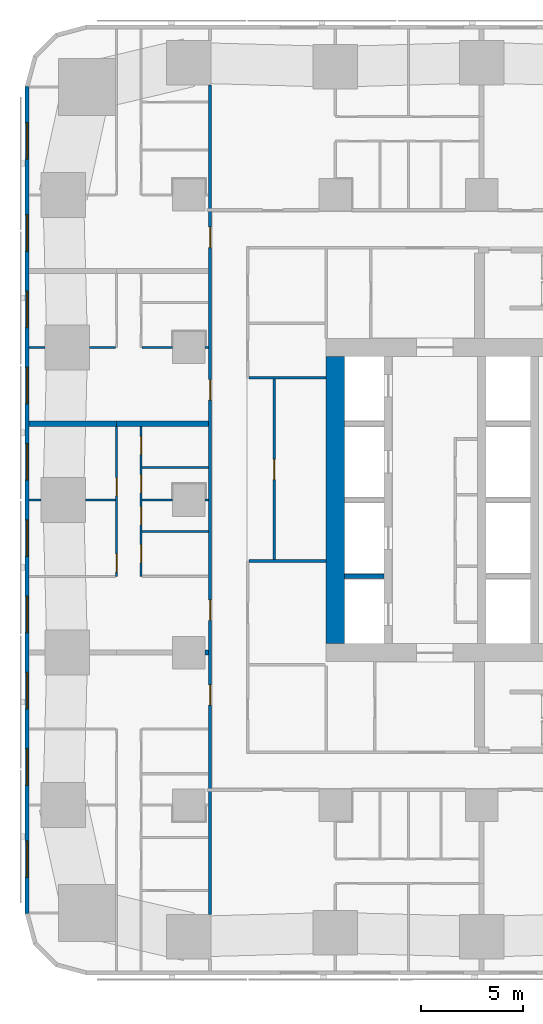
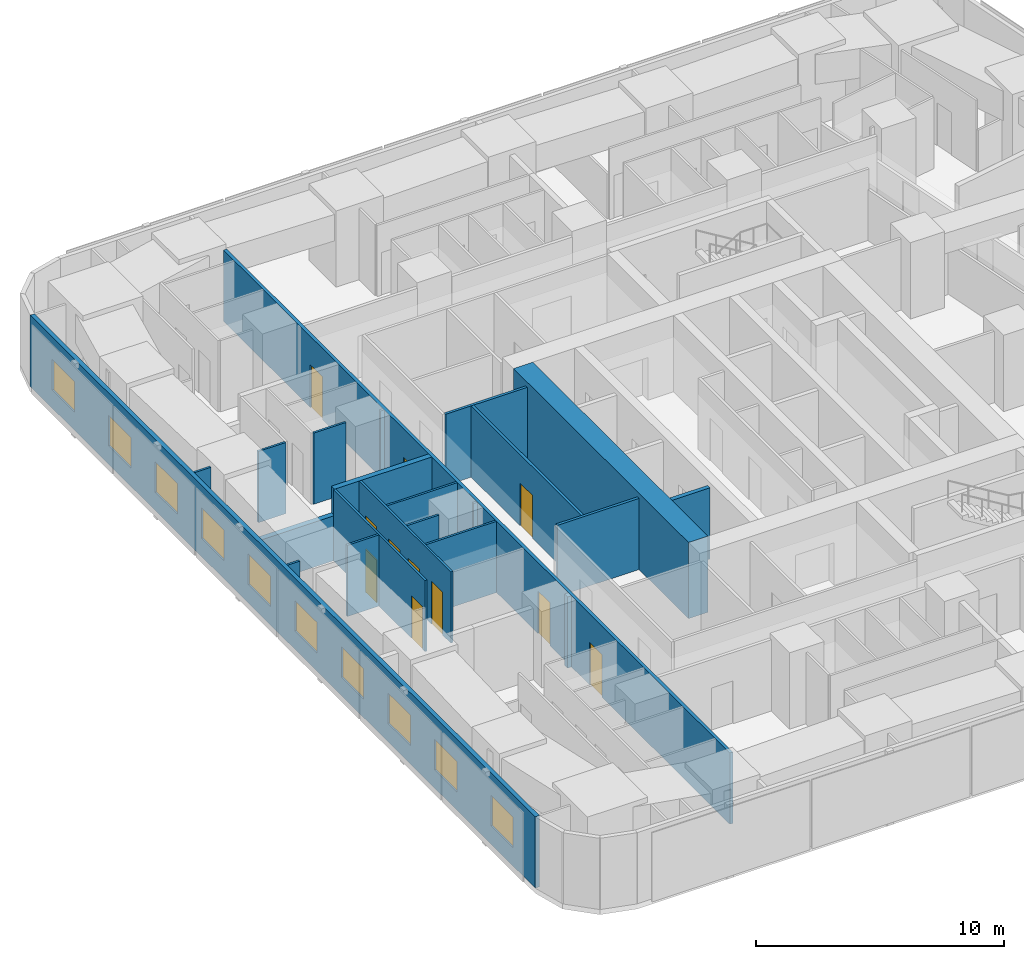
# One storey, part 4 of 15: 22 walls, 11 doors, 10 windows, 21 openings.
"""IFC4 building model written with IfcOpenShell, lengths in metres."""

from ifc_helpers import new_model, si_unit, direction, frame, frame_2d, origin, place, context, subcontext, project, spatial, rectangle, extrude, material, layer, layer_set, type_object, element, fill, save


model = new_model("IFC4")

# Units and contexts
model_context = context("Model", 3, precision=1e-05, world=origin(), true_north=direction((0.0, 1.0)))
body_context = subcontext(model_context, "Body", "Model", "MODEL_VIEW")
ifc_project = project(units=[si_unit("LENGTHUNIT", "METRE"), si_unit("AREAUNIT", "SQUARE_METRE"), si_unit("VOLUMEUNIT", "CUBIC_METRE"), si_unit("PLANEANGLEUNIT", "RADIAN"), si_unit("MASSUNIT", "GRAM", prefix="KILO")], contexts=[model_context])

# Site, building, storey
site_placement = place(None, origin())
site = spatial("IfcSite", under=ifc_project, at=site_placement, CompositionType="ELEMENT")
building_placement = place(site_placement, origin())
building = spatial("IfcBuilding", under=site, at=building_placement, Name="Sheger Commons Tower", CompositionType="ELEMENT")
storey_placement = place(building_placement, frame((0.0, 0.0, 100.39990234375)))
storey = spatial("IfcBuildingStorey", under=building, at=storey_placement, Name="L25", CompositionType="ELEMENT", Elevation=100.39990234375)

# Wall
ifc_material_1 = material(Name="Concrete C50/60", Category="concrete")
ifc_layer_1 = layer(ifc_material_1, 0.89990234375)
ifc_layer_set_1 = layer_set([ifc_layer_1], Name="CORE WALL 900")
wall_type_1 = type_object("IfcWallType", Name="CORE WALL 900", PredefinedType="SHEAR", material=ifc_layer_set_1)
wall_1_placement = place(storey_placement, frame((14.39990234375, 15.449951171875, 0.0), z_axis=(0.0, 0.0, 1.0), x_axis=(0.0, 1.0, 0.0)))
element("IfcWall", 1, at=wall_1_placement, inside=storey, type_object=wall_type_1, Name="Core wall west L25", PredefinedType="SHEAR", context=body_context, shape_type="SweptSolid", body=[
    extrude(rectangle(XDim=14.10009765625, YDim=0.89990234375, at=frame_2d((7.050048828125, 0.0))), origin(), (0.0, 0.0, 1.0), 3.75),
])

# Wall, openings, doors
ifc_material_2 = material(Name="Hollow concrete block masonry, skimmed both sides", Category="masonry")
ifc_layer_2 = layer(ifc_material_2, 0.14990234375)
ifc_layer_set_2 = layer_set([ifc_layer_2], Name="CORRIDOR WALL 150")
wall_type_2 = type_object("IfcWallType", Name="CORRIDOR WALL 150", PredefinedType="SOLIDWALL", material=ifc_layer_set_2)
wall_2_placement = place(storey_placement, frame((8.25, 2.1259765625, 0.0), z_axis=(0.0, 0.0, 1.0), x_axis=(0.0, 1.0, 0.0)))
wall_2 = element("IfcWall", 2, at=wall_2_placement, inside=storey, type_object=wall_type_2, Name="Corridor wall L25", PredefinedType="SOLIDWALL", context=body_context, shape_type="SweptSolid", body=[
    extrude(rectangle(XDim=40.77294921875, YDim=0.14990234375, at=frame_2d((20.386474609375, 0.0))), origin(), (0.0, 0.0, 1.0), 3.5),
])
opening_1_placement = place(wall_2_placement, frame((10.285888671875, 0.0, 0.0)))
opening_1 = element("IfcOpeningElement", 3, at=opening_1_placement, cuts=wall_2, Name="Opening D1", PredefinedType="OPENING", context=body_context, shape_type="SweptSolid", body=[
    extrude(rectangle(XDim=1.0, YDim=2.10009765625, at=frame_2d((0.5, 1.050048828125))), frame((0.0, 0.0849609375, 0.0), z_axis=(0.0, -1.0, 0.0), x_axis=(1.0, 0.0, 0.0)), (0.0, 0.0, 1.0), 0.169921875),
])
opening_2_placement = place(wall_2_placement, frame((14.4609375, 0.0, 0.0)))
opening_2 = element("IfcOpeningElement", 4, at=opening_2_placement, cuts=wall_2, Name="Opening D1", PredefinedType="OPENING", context=body_context, shape_type="SweptSolid", body=[
    extrude(rectangle(XDim=1.0, YDim=2.10009765625, at=frame_2d((0.5, 1.050048828125))), frame((0.0, 0.0849609375, 0.0), z_axis=(0.0, -1.0, 0.0), x_axis=(1.0, 0.0, 0.0)), (0.0, 0.0, 1.0), 0.169921875),
])
opening_3_placement = place(wall_2_placement, frame((25.287109375, 0.0, 0.0)))
opening_3 = element("IfcOpeningElement", 5, at=opening_3_placement, cuts=wall_2, Name="Opening D1", PredefinedType="OPENING", context=body_context, shape_type="SweptSolid", body=[
    extrude(rectangle(XDim=1.0, YDim=2.10009765625, at=frame_2d((0.5, 1.050048828125))), frame((0.0, 0.0849609375, 0.0), z_axis=(0.0, -1.0, 0.0), x_axis=(1.0, 0.0, 0.0)), (0.0, 0.0, 1.0), 0.169921875),
])
opening_4_placement = place(wall_2_placement, frame((32.787109375, 0.0, 0.0)))
opening_4 = element("IfcOpeningElement", 6, at=opening_4_placement, cuts=wall_2, Name="Opening D1", PredefinedType="OPENING", context=body_context, shape_type="SweptSolid", body=[
    extrude(rectangle(XDim=1.0, YDim=2.10009765625, at=frame_2d((0.5, 1.050048828125))), frame((0.0, 0.0849609375, 0.0), z_axis=(0.0, -1.0, 0.0), x_axis=(1.0, 0.0, 0.0)), (0.0, 0.0, 1.0), 0.169921875),
])
ifc_material_3 = material(Name="Steel door set, fire rated", Category="steel")
door_type_1 = type_object("IfcDoorType", Name="FLAT ENTRANCE DOOR 1000x2100", OperationType="NOTDEFINED", PredefinedType="DOOR", material=ifc_material_3)
door_1_placement = place(opening_1_placement, origin())
door_1 = element("IfcDoor", 7, at=door_1_placement, inside=storey, type_object=door_type_1, Name="Flat entrance door", OperationType="SINGLE_SWING_LEFT", OverallHeight=2.10009765625, OverallWidth=1.0, PredefinedType="DOOR", context=body_context, shape_type="SweptSolid", body=[
    extrude(rectangle(XDim=1.0, YDim=2.10009765625, at=frame_2d((0.5, 1.050048828125))), frame((0.0, 0.02490234375, 0.0), z_axis=(0.0, -1.0, 0.0), x_axis=(1.0, 0.0, 0.0)), (0.0, 0.0, 1.0), 0.050048828125),
])
fill(opening_1, door_1)
door_2_placement = place(opening_2_placement, origin())
door_2 = element("IfcDoor", 8, at=door_2_placement, inside=storey, type_object=door_type_1, Name="Flat entrance door", OperationType="SINGLE_SWING_RIGHT", OverallHeight=2.10009765625, OverallWidth=1.0, PredefinedType="DOOR", context=body_context, shape_type="SweptSolid", body=[
    extrude(rectangle(XDim=1.0, YDim=2.10009765625, at=frame_2d((0.5, 1.050048828125))), frame((0.0, 0.02490234375, 0.0), z_axis=(0.0, -1.0, 0.0), x_axis=(1.0, 0.0, 0.0)), (0.0, 0.0, 1.0), 0.050048828125),
])
fill(opening_2, door_2)
door_3_placement = place(opening_3_placement, origin())
door_3 = element("IfcDoor", 9, at=door_3_placement, inside=storey, type_object=door_type_1, Name="Flat entrance door", OperationType="SINGLE_SWING_LEFT", OverallHeight=2.10009765625, OverallWidth=1.0, PredefinedType="DOOR", context=body_context, shape_type="SweptSolid", body=[
    extrude(rectangle(XDim=1.0, YDim=2.10009765625, at=frame_2d((0.5, 1.050048828125))), frame((0.0, 0.02490234375, 0.0), z_axis=(0.0, -1.0, 0.0), x_axis=(1.0, 0.0, 0.0)), (0.0, 0.0, 1.0), 0.050048828125),
])
fill(opening_3, door_3)
door_4_placement = place(opening_4_placement, origin())
door_4 = element("IfcDoor", 10, at=door_4_placement, inside=storey, type_object=door_type_1, Name="Flat entrance door", OperationType="SINGLE_SWING_LEFT", OverallHeight=2.10009765625, OverallWidth=1.0, PredefinedType="DOOR", context=body_context, shape_type="SweptSolid", body=[
    extrude(rectangle(XDim=1.0, YDim=2.10009765625, at=frame_2d((0.5, 1.050048828125))), frame((0.0, 0.02490234375, 0.0), z_axis=(0.0, -1.0, 0.0), x_axis=(1.0, 0.0, 0.0)), (0.0, 0.0, 1.0), 0.050048828125),
])
fill(opening_4, door_4)

# Walls
ifc_material_4 = material(Name="Dense concrete block masonry, plastered both sides (separating wall between flats)", Category="masonry")
ifc_layer_3 = layer(ifc_material_4, 0.25)
ifc_layer_set_3 = layer_set([ifc_layer_3], Name="DEMISING WALL 250")
wall_type_3 = type_object("IfcWallType", Name="DEMISING WALL 250", PredefinedType="SOLIDWALL", material=ifc_layer_set_3)
wall_3_placement = place(storey_placement, frame((8.0009765625, 15.0, 0.0), z_axis=(0.0, 0.0, 1.0), x_axis=(1.0, 0.0, 0.0)))
element("IfcWall", 11, at=wall_3_placement, inside=storey, type_object=wall_type_3, Name="Demising wall L25", PredefinedType="SOLIDWALL", context=body_context, shape_type="SweptSolid", body=[
    extrude(rectangle(XDim=0.174072265625, YDim=0.25, at=frame_2d((0.0869140625, 0.0))), origin(), (0.0, 0.0, 1.0), 3.5),
])
wall_4_placement = place(storey_placement, frame((-0.64990234375, 26.25, 0.0), z_axis=(0.0, 0.0, 1.0), x_axis=(1.0, 0.0, 0.0)))
element("IfcWall", 12, at=wall_4_placement, inside=storey, type_object=wall_type_3, Name="Demising wall L25", PredefinedType="SOLIDWALL", context=body_context, shape_type="SweptSolid", body=[
    extrude(rectangle(XDim=4.2998046875, YDim=0.25, at=frame_2d((2.14990234375, 0.0))), origin(), (0.0, 0.0, 1.0), 2.2001953125),
])
wall_5_placement = place(storey_placement, frame((3.64990234375, 26.25, 0.0), z_axis=(0.0, 0.0, 1.0), x_axis=(1.0, 0.0, 0.0)))
element("IfcWall", 13, at=wall_5_placement, inside=storey, type_object=wall_type_3, Name="Demising wall L25", PredefinedType="SOLIDWALL", context=body_context, shape_type="SweptSolid", body=[
    extrude(rectangle(XDim=4.525146484375, YDim=0.25, at=frame_2d((2.2626953125, 0.0))), origin(), (0.0, 0.0, 1.0), 3.5),
])

# Wall, openings, windows
ifc_material_5 = material(Name="Rendered concrete block masonry, dark grey", Category="masonry")
ifc_layer_4 = layer(ifc_material_5, 0.199951171875)
ifc_layer_set_4 = layer_set([ifc_layer_4], Name="FACADE WALL 200")
wall_type_4 = type_object("IfcWallType", Name="FACADE WALL 200", PredefinedType="SOLIDWALL", material=ifc_layer_set_4)
wall_6_placement = place(storey_placement, frame((-0.75, 42.8369140625, 0.0), z_axis=(0.0, 0.0, 1.0), x_axis=(0.0, -1.0, 0.0)))
wall_6 = element("IfcWall", 14, at=wall_6_placement, inside=storey, type_object=wall_type_4, Name="Facade wall L25", PredefinedType="SOLIDWALL", context=body_context, shape_type="SweptSolid", body=[
    extrude(rectangle(XDim=40.673828125, YDim=0.199951171875, at=frame_2d((20.3369140625, 0.0))), origin(), (0.0, 0.0, 1.0), 3.5),
])
opening_5_placement = place(wall_6_placement, frame((1.780029296875, 0.0, 0.89990234375)))
opening_5 = element("IfcOpeningElement", 15, at=opening_5_placement, cuts=wall_6, Name="Opening W2", PredefinedType="OPENING", context=body_context, shape_type="SweptSolid", body=[
    extrude(rectangle(XDim=1.800048828125, YDim=1.5, at=frame_2d((0.89990234375, 0.75))), frame((0.0, 0.10986328125, 0.0), z_axis=(0.0, -1.0, 0.0), x_axis=(1.0, 0.0, 0.0)), (0.0, 0.0, 1.0), 0.219970703125),
])
opening_6_placement = place(wall_6_placement, frame((6.31201171875, 0.0, 0.89990234375)))
opening_6 = element("IfcOpeningElement", 16, at=opening_6_placement, cuts=wall_6, Name="Opening W2", PredefinedType="OPENING", context=body_context, shape_type="SweptSolid", body=[
    extrude(rectangle(XDim=1.800048828125, YDim=1.5, at=frame_2d((0.89990234375, 0.75))), frame((0.0, 0.10986328125, 0.0), z_axis=(0.0, -1.0, 0.0), x_axis=(1.0, 0.0, 0.0)), (0.0, 0.0, 1.0), 0.219970703125),
])
opening_7_placement = place(wall_6_placement, frame((10.06201171875, 0.0, 0.89990234375)))
opening_7 = element("IfcOpeningElement", 17, at=opening_7_placement, cuts=wall_6, Name="Opening W2", PredefinedType="OPENING", context=body_context, shape_type="SweptSolid", body=[
    extrude(rectangle(XDim=1.800048828125, YDim=1.5, at=frame_2d((0.89990234375, 0.75))), frame((0.0, 0.10986328125, 0.0), z_axis=(0.0, -1.0, 0.0), x_axis=(1.0, 0.0, 0.0)), (0.0, 0.0, 1.0), 0.219970703125),
])
opening_8_placement = place(wall_6_placement, frame((13.81201171875, 0.0, 0.89990234375)))
opening_8 = element("IfcOpeningElement", 18, at=opening_8_placement, cuts=wall_6, Name="Opening W2", PredefinedType="OPENING", context=body_context, shape_type="SweptSolid", body=[
    extrude(rectangle(XDim=1.800048828125, YDim=1.5, at=frame_2d((0.89990234375, 0.75))), frame((0.0, 0.10986328125, 0.0), z_axis=(0.0, -1.0, 0.0), x_axis=(1.0, 0.0, 0.0)), (0.0, 0.0, 1.0), 0.219970703125),
])
opening_9_placement = place(wall_6_placement, frame((17.56201171875, 0.0, 0.89990234375)))
opening_9 = element("IfcOpeningElement", 19, at=opening_9_placement, cuts=wall_6, Name="Opening W2", PredefinedType="OPENING", context=body_context, shape_type="SweptSolid", body=[
    extrude(rectangle(XDim=1.800048828125, YDim=1.5, at=frame_2d((0.89990234375, 0.75))), frame((0.0, 0.10986328125, 0.0), z_axis=(0.0, -1.0, 0.0), x_axis=(1.0, 0.0, 0.0)), (0.0, 0.0, 1.0), 0.219970703125),
])
opening_10_placement = place(wall_6_placement, frame((21.31201171875, 0.0, 0.89990234375)))
opening_10 = element("IfcOpeningElement", 20, at=opening_10_placement, cuts=wall_6, Name="Opening W2", PredefinedType="OPENING", context=body_context, shape_type="SweptSolid", body=[
    extrude(rectangle(XDim=1.800048828125, YDim=1.5, at=frame_2d((0.89990234375, 0.75))), frame((0.0, 0.10986328125, 0.0), z_axis=(0.0, -1.0, 0.0), x_axis=(1.0, 0.0, 0.0)), (0.0, 0.0, 1.0), 0.219970703125),
])
opening_11_placement = place(wall_6_placement, frame((25.06201171875, 0.0, 0.89990234375)))
opening_11 = element("IfcOpeningElement", 21, at=opening_11_placement, cuts=wall_6, Name="Opening W2", PredefinedType="OPENING", context=body_context, shape_type="SweptSolid", body=[
    extrude(rectangle(XDim=1.800048828125, YDim=1.5, at=frame_2d((0.89990234375, 0.75))), frame((0.0, 0.10986328125, 0.0), z_axis=(0.0, -1.0, 0.0), x_axis=(1.0, 0.0, 0.0)), (0.0, 0.0, 1.0), 0.219970703125),
])
opening_12_placement = place(wall_6_placement, frame((28.81201171875, 0.0, 0.89990234375)))
opening_12 = element("IfcOpeningElement", 22, at=opening_12_placement, cuts=wall_6, Name="Opening W2", PredefinedType="OPENING", context=body_context, shape_type="SweptSolid", body=[
    extrude(rectangle(XDim=1.800048828125, YDim=1.5, at=frame_2d((0.89990234375, 0.75))), frame((0.0, 0.10986328125, 0.0), z_axis=(0.0, -1.0, 0.0), x_axis=(1.0, 0.0, 0.0)), (0.0, 0.0, 1.0), 0.219970703125),
])
opening_13_placement = place(wall_6_placement, frame((32.56201171875, 0.0, 0.89990234375)))
opening_13 = element("IfcOpeningElement", 23, at=opening_13_placement, cuts=wall_6, Name="Opening W2", PredefinedType="OPENING", context=body_context, shape_type="SweptSolid", body=[
    extrude(rectangle(XDim=1.800048828125, YDim=1.5, at=frame_2d((0.89990234375, 0.75))), frame((0.0, 0.10986328125, 0.0), z_axis=(0.0, -1.0, 0.0), x_axis=(1.0, 0.0, 0.0)), (0.0, 0.0, 1.0), 0.219970703125),
])
opening_14_placement = place(wall_6_placement, frame((37.093994140625, 0.0, 0.89990234375)))
opening_14 = element("IfcOpeningElement", 24, at=opening_14_placement, cuts=wall_6, Name="Opening W2", PredefinedType="OPENING", context=body_context, shape_type="SweptSolid", body=[
    extrude(rectangle(XDim=1.800048828125, YDim=1.5, at=frame_2d((0.89990234375, 0.75))), frame((0.0, 0.10986328125, 0.0), z_axis=(0.0, -1.0, 0.0), x_axis=(1.0, 0.0, 0.0)), (0.0, 0.0, 1.0), 0.219970703125),
])
ifc_material_6 = material(Name="Black aluminium frame, dark tinted double glazing", Category="aluminium")
window_type = type_object("IfcWindowType", Name="WINDOW W2 1800x1500", PartitioningType="SINGLE_PANEL", PredefinedType="WINDOW", material=ifc_material_6)
window_1_placement = place(opening_5_placement, origin())
window_1 = element("IfcWindow", 25, at=window_1_placement, inside=storey, type_object=window_type, Name="Window W2 1800X1500", OverallHeight=1.5, OverallWidth=1.800048828125, PartitioningType="SINGLE_PANEL", PredefinedType="WINDOW", context=body_context, shape_type="SweptSolid", body=[
    extrude(rectangle(XDim=1.800048828125, YDim=1.5, at=frame_2d((0.89990234375, 0.75))), frame((0.0, 0.030029296875, 0.0), z_axis=(0.0, -1.0, 0.0), x_axis=(1.0, 0.0, 0.0)), (0.0, 0.0, 1.0), 0.06005859375),
])
fill(opening_5, window_1)
window_2_placement = place(opening_6_placement, origin())
window_2 = element("IfcWindow", 26, at=window_2_placement, inside=storey, type_object=window_type, Name="Window W2 1800X1500", OverallHeight=1.5, OverallWidth=1.800048828125, PartitioningType="SINGLE_PANEL", PredefinedType="WINDOW", context=body_context, shape_type="SweptSolid", body=[
    extrude(rectangle(XDim=1.800048828125, YDim=1.5, at=frame_2d((0.89990234375, 0.75))), frame((0.0, 0.030029296875, 0.0), z_axis=(0.0, -1.0, 0.0), x_axis=(1.0, 0.0, 0.0)), (0.0, 0.0, 1.0), 0.06005859375),
])
fill(opening_6, window_2)
window_3_placement = place(opening_7_placement, origin())
window_3 = element("IfcWindow", 27, at=window_3_placement, inside=storey, type_object=window_type, Name="Window W2 1800X1500", OverallHeight=1.5, OverallWidth=1.800048828125, PartitioningType="SINGLE_PANEL", PredefinedType="WINDOW", context=body_context, shape_type="SweptSolid", body=[
    extrude(rectangle(XDim=1.800048828125, YDim=1.5, at=frame_2d((0.89990234375, 0.75))), frame((0.0, 0.030029296875, 0.0), z_axis=(0.0, -1.0, 0.0), x_axis=(1.0, 0.0, 0.0)), (0.0, 0.0, 1.0), 0.06005859375),
])
fill(opening_7, window_3)
window_4_placement = place(opening_8_placement, origin())
window_4 = element("IfcWindow", 28, at=window_4_placement, inside=storey, type_object=window_type, Name="Window W2 1800X1500", OverallHeight=1.5, OverallWidth=1.800048828125, PartitioningType="SINGLE_PANEL", PredefinedType="WINDOW", context=body_context, shape_type="SweptSolid", body=[
    extrude(rectangle(XDim=1.800048828125, YDim=1.5, at=frame_2d((0.89990234375, 0.75))), frame((0.0, 0.030029296875, 0.0), z_axis=(0.0, -1.0, 0.0), x_axis=(1.0, 0.0, 0.0)), (0.0, 0.0, 1.0), 0.06005859375),
])
fill(opening_8, window_4)
window_5_placement = place(opening_9_placement, origin())
window_5 = element("IfcWindow", 29, at=window_5_placement, inside=storey, type_object=window_type, Name="Window W2 1800X1500", OverallHeight=1.5, OverallWidth=1.800048828125, PartitioningType="SINGLE_PANEL", PredefinedType="WINDOW", context=body_context, shape_type="SweptSolid", body=[
    extrude(rectangle(XDim=1.800048828125, YDim=1.5, at=frame_2d((0.89990234375, 0.75))), frame((0.0, 0.030029296875, 0.0), z_axis=(0.0, -1.0, 0.0), x_axis=(1.0, 0.0, 0.0)), (0.0, 0.0, 1.0), 0.06005859375),
])
fill(opening_9, window_5)
window_6_placement = place(opening_10_placement, origin())
window_6 = element("IfcWindow", 30, at=window_6_placement, inside=storey, type_object=window_type, Name="Window W2 1800X1500", OverallHeight=1.5, OverallWidth=1.800048828125, PartitioningType="SINGLE_PANEL", PredefinedType="WINDOW", context=body_context, shape_type="SweptSolid", body=[
    extrude(rectangle(XDim=1.800048828125, YDim=1.5, at=frame_2d((0.89990234375, 0.75))), frame((0.0, 0.030029296875, 0.0), z_axis=(0.0, -1.0, 0.0), x_axis=(1.0, 0.0, 0.0)), (0.0, 0.0, 1.0), 0.06005859375),
])
fill(opening_10, window_6)
window_7_placement = place(opening_11_placement, origin())
window_7 = element("IfcWindow", 31, at=window_7_placement, inside=storey, type_object=window_type, Name="Window W2 1800X1500", OverallHeight=1.5, OverallWidth=1.800048828125, PartitioningType="SINGLE_PANEL", PredefinedType="WINDOW", context=body_context, shape_type="SweptSolid", body=[
    extrude(rectangle(XDim=1.800048828125, YDim=1.5, at=frame_2d((0.89990234375, 0.75))), frame((0.0, 0.030029296875, 0.0), z_axis=(0.0, -1.0, 0.0), x_axis=(1.0, 0.0, 0.0)), (0.0, 0.0, 1.0), 0.06005859375),
])
fill(opening_11, window_7)
window_8_placement = place(opening_12_placement, origin())
window_8 = element("IfcWindow", 32, at=window_8_placement, inside=storey, type_object=window_type, Name="Window W2 1800X1500", OverallHeight=1.5, OverallWidth=1.800048828125, PartitioningType="SINGLE_PANEL", PredefinedType="WINDOW", context=body_context, shape_type="SweptSolid", body=[
    extrude(rectangle(XDim=1.800048828125, YDim=1.5, at=frame_2d((0.89990234375, 0.75))), frame((0.0, 0.030029296875, 0.0), z_axis=(0.0, -1.0, 0.0), x_axis=(1.0, 0.0, 0.0)), (0.0, 0.0, 1.0), 0.06005859375),
])
fill(opening_12, window_8)
window_9_placement = place(opening_13_placement, origin())
window_9 = element("IfcWindow", 33, at=window_9_placement, inside=storey, type_object=window_type, Name="Window W2 1800X1500", OverallHeight=1.5, OverallWidth=1.800048828125, PartitioningType="SINGLE_PANEL", PredefinedType="WINDOW", context=body_context, shape_type="SweptSolid", body=[
    extrude(rectangle(XDim=1.800048828125, YDim=1.5, at=frame_2d((0.89990234375, 0.75))), frame((0.0, 0.030029296875, 0.0), z_axis=(0.0, -1.0, 0.0), x_axis=(1.0, 0.0, 0.0)), (0.0, 0.0, 1.0), 0.06005859375),
])
fill(opening_13, window_9)
window_10_placement = place(opening_14_placement, origin())
window_10 = element("IfcWindow", 34, at=window_10_placement, inside=storey, type_object=window_type, Name="Window W2 1800X1500", OverallHeight=1.5, OverallWidth=1.800048828125, PartitioningType="SINGLE_PANEL", PredefinedType="WINDOW", context=body_context, shape_type="SweptSolid", body=[
    extrude(rectangle(XDim=1.800048828125, YDim=1.5, at=frame_2d((0.89990234375, 0.75))), frame((0.0, 0.030029296875, 0.0), z_axis=(0.0, -1.0, 0.0), x_axis=(1.0, 0.0, 0.0)), (0.0, 0.0, 1.0), 0.06005859375),
])
fill(opening_14, window_10)

# Wall, openings, doors
ifc_material_7 = material(Name="Gypsum board on steel studs", Category="steel")
ifc_layer_5 = layer(ifc_material_7, 0.10009765625)
ifc_layer_set_5 = layer_set([ifc_layer_5], Name="PARTITION 100")
wall_type_5 = type_object("IfcWallType", Name="PARTITION 100", PredefinedType="PARTITIONING", material=ifc_layer_set_5)
wall_7_placement = place(storey_placement, frame((3.64990234375, 18.75, 0.0), z_axis=(0.0, 0.0, 1.0), x_axis=(0.0, 1.0, 0.0)))
wall_7 = element("IfcWall", 35, at=wall_7_placement, inside=storey, type_object=wall_type_5, Name="Partition L25", PredefinedType="PARTITIONING", context=body_context, shape_type="SweptSolid", body=[
    extrude(rectangle(XDim=7.375, YDim=0.10009765625, at=frame_2d((3.6875, 0.0))), origin(), (0.0, 0.0, 1.0), 3.5),
])
opening_15_placement = place(wall_7_placement, frame((0.199951171875, 0.0, 0.0)))
opening_15 = element("IfcOpeningElement", 36, at=opening_15_placement, cuts=wall_7, Name="Opening D2", PredefinedType="OPENING", context=body_context, shape_type="SweptSolid", body=[
    extrude(rectangle(XDim=0.89990234375, YDim=2.10009765625, at=frame_2d((0.449951171875, 1.050048828125))), frame((0.0, 0.06005859375, 0.0), z_axis=(0.0, -1.0, 0.0), x_axis=(1.0, 0.0, 0.0)), (0.0, 0.0, 1.0), 0.1201171875),
])
opening_16_placement = place(wall_7_placement, frame((3.949951171875, 0.0, 0.0)))
opening_16 = element("IfcOpeningElement", 37, at=opening_16_placement, cuts=wall_7, Name="Opening D2", PredefinedType="OPENING", context=body_context, shape_type="SweptSolid", body=[
    extrude(rectangle(XDim=0.89990234375, YDim=2.10009765625, at=frame_2d((0.449951171875, 1.050048828125))), frame((0.0, 0.06005859375, 0.0), z_axis=(0.0, -1.0, 0.0), x_axis=(1.0, 0.0, 0.0)), (0.0, 0.0, 1.0), 0.1201171875),
])
ifc_material_8 = material(Name="Timber door set", Category="wood")
door_type_2 = type_object("IfcDoorType", Name="INTERNAL DOOR 900x2100", OperationType="NOTDEFINED", PredefinedType="DOOR", material=ifc_material_8)
door_5_placement = place(opening_15_placement, origin())
door_5 = element("IfcDoor", 38, at=door_5_placement, inside=storey, type_object=door_type_2, Name="Main bedroom door", OperationType="SINGLE_SWING_LEFT", OverallHeight=2.10009765625, OverallWidth=0.89990234375, PredefinedType="DOOR", context=body_context, shape_type="SweptSolid", body=[
    extrude(rectangle(XDim=0.89990234375, YDim=2.10009765625, at=frame_2d((0.449951171875, 1.050048828125))), frame((0.0, 0.02490234375, 0.0), z_axis=(0.0, -1.0, 0.0), x_axis=(1.0, 0.0, 0.0)), (0.0, 0.0, 1.0), 0.050048828125),
])
fill(opening_15, door_5)
door_6_placement = place(opening_16_placement, origin())
door_6 = element("IfcDoor", 39, at=door_6_placement, inside=storey, type_object=door_type_2, Name="Bedroom 2 door", OperationType="SINGLE_SWING_LEFT", OverallHeight=2.10009765625, OverallWidth=0.89990234375, PredefinedType="DOOR", context=body_context, shape_type="SweptSolid", body=[
    extrude(rectangle(XDim=0.89990234375, YDim=2.10009765625, at=frame_2d((0.449951171875, 1.050048828125))), frame((0.0, 0.02490234375, 0.0), z_axis=(0.0, -1.0, 0.0), x_axis=(1.0, 0.0, 0.0)), (0.0, 0.0, 1.0), 0.050048828125),
])
fill(opening_16, door_6)

wall_8_placement = place(storey_placement, frame((4.85009765625, 18.75, 0.0), z_axis=(0.0, 0.0, 1.0), x_axis=(0.0, 1.0, 0.0)))
wall_8 = element("IfcWall", 40, at=wall_8_placement, inside=storey, type_object=wall_type_5, Name="Partition L25", PredefinedType="PARTITIONING", context=body_context, shape_type="SweptSolid", body=[
    extrude(rectangle(XDim=7.375, YDim=0.10009765625, at=frame_2d((3.6875, 0.0))), origin(), (0.0, 0.0, 1.0), 3.5),
])
opening_17_placement = place(wall_8_placement, frame((0.655029296875, 0.0, 0.0)))
opening_17 = element("IfcOpeningElement", 41, at=opening_17_placement, cuts=wall_8, Name="Opening D2", PredefinedType="OPENING", context=body_context, shape_type="SweptSolid", body=[
    extrude(rectangle(XDim=0.89990234375, YDim=2.10009765625, at=frame_2d((0.449951171875, 1.050048828125))), frame((0.0, 0.06005859375, 0.0), z_axis=(0.0, -1.0, 0.0), x_axis=(1.0, 0.0, 0.0)), (0.0, 0.0, 1.0), 0.1201171875),
])
opening_18_placement = place(wall_8_placement, frame((4.10009765625, 0.0, 0.0)))
opening_18 = element("IfcOpeningElement", 42, at=opening_18_placement, cuts=wall_8, Name="Opening D2", PredefinedType="OPENING", context=body_context, shape_type="SweptSolid", body=[
    extrude(rectangle(XDim=0.89990234375, YDim=2.10009765625, at=frame_2d((0.449951171875, 1.050048828125))), frame((0.0, 0.06005859375, 0.0), z_axis=(0.0, -1.0, 0.0), x_axis=(1.0, 0.0, 0.0)), (0.0, 0.0, 1.0), 0.1201171875),
])
opening_19_placement = place(wall_8_placement, frame((2.530029296875, 0.0, 0.0)))
opening_19 = element("IfcOpeningElement", 43, at=opening_19_placement, cuts=wall_8, Name="Opening D2", PredefinedType="OPENING", context=body_context, shape_type="SweptSolid", body=[
    extrude(rectangle(XDim=0.89990234375, YDim=2.10009765625, at=frame_2d((0.449951171875, 1.050048828125))), frame((0.0, 0.06005859375, 0.0), z_axis=(0.0, -1.0, 0.0), x_axis=(1.0, 0.0, 0.0)), (0.0, 0.0, 1.0), 0.1201171875),
])
opening_20_placement = place(wall_8_placement, frame((5.97509765625, 0.0, 0.0)))
opening_20 = element("IfcOpeningElement", 44, at=opening_20_placement, cuts=wall_8, Name="Opening D2", PredefinedType="OPENING", context=body_context, shape_type="SweptSolid", body=[
    extrude(rectangle(XDim=0.89990234375, YDim=2.10009765625, at=frame_2d((0.449951171875, 1.050048828125))), frame((0.0, 0.06005859375, 0.0), z_axis=(0.0, -1.0, 0.0), x_axis=(1.0, 0.0, 0.0)), (0.0, 0.0, 1.0), 0.1201171875),
])
door_7_placement = place(opening_17_placement, origin())
door_7 = element("IfcDoor", 45, at=door_7_placement, inside=storey, type_object=door_type_2, Name="Bathroom door", OperationType="SINGLE_SWING_RIGHT", OverallHeight=2.10009765625, OverallWidth=0.89990234375, PredefinedType="DOOR", context=body_context, shape_type="SweptSolid", body=[
    extrude(rectangle(XDim=0.89990234375, YDim=2.10009765625, at=frame_2d((0.449951171875, 1.050048828125))), frame((0.0, 0.02490234375, 0.0), z_axis=(0.0, -1.0, 0.0), x_axis=(1.0, 0.0, 0.0)), (0.0, 0.0, 1.0), 0.050048828125),
])
fill(opening_17, door_7)
door_8_placement = place(opening_18_placement, origin())
door_8 = element("IfcDoor", 46, at=door_8_placement, inside=storey, type_object=door_type_2, Name="Shower room door", OperationType="SINGLE_SWING_LEFT", OverallHeight=2.10009765625, OverallWidth=0.89990234375, PredefinedType="DOOR", context=body_context, shape_type="SweptSolid", body=[
    extrude(rectangle(XDim=0.89990234375, YDim=2.10009765625, at=frame_2d((0.449951171875, 1.050048828125))), frame((0.0, 0.02490234375, 0.0), z_axis=(0.0, -1.0, 0.0), x_axis=(1.0, 0.0, 0.0)), (0.0, 0.0, 1.0), 0.050048828125),
])
fill(opening_18, door_8)
door_9_placement = place(opening_19_placement, origin())
door_9 = element("IfcDoor", 47, at=door_9_placement, inside=storey, type_object=door_type_2, Name="Store door", OperationType="SINGLE_SWING_LEFT", OverallHeight=2.10009765625, OverallWidth=0.89990234375, PredefinedType="DOOR", context=body_context, shape_type="SweptSolid", body=[
    extrude(rectangle(XDim=0.89990234375, YDim=2.10009765625, at=frame_2d((0.449951171875, 1.050048828125))), frame((0.0, 0.02490234375, 0.0), z_axis=(0.0, -1.0, 0.0), x_axis=(1.0, 0.0, 0.0)), (0.0, 0.0, 1.0), 0.050048828125),
])
fill(opening_19, door_9)
door_10_placement = place(opening_20_placement, origin())
door_10 = element("IfcDoor", 48, at=door_10_placement, inside=storey, type_object=door_type_2, Name="Store door", OperationType="SINGLE_SWING_LEFT", OverallHeight=2.10009765625, OverallWidth=0.89990234375, PredefinedType="DOOR", context=body_context, shape_type="SweptSolid", body=[
    extrude(rectangle(XDim=0.89990234375, YDim=2.10009765625, at=frame_2d((0.449951171875, 1.050048828125))), frame((0.0, 0.02490234375, 0.0), z_axis=(0.0, -1.0, 0.0), x_axis=(1.0, 0.0, 0.0)), (0.0, 0.0, 1.0), 0.050048828125),
])
fill(opening_20, door_10)

# Walls
wall_9_placement = place(storey_placement, frame((-0.64990234375, 22.5, 0.0), z_axis=(0.0, 0.0, 1.0), x_axis=(1.0, 0.0, 0.0)))
element("IfcWall", 49, at=wall_9_placement, inside=storey, type_object=wall_type_5, Name="Partition L25", PredefinedType="PARTITIONING", context=body_context, shape_type="SweptSolid", body=[
    extrude(rectangle(XDim=0.573974609375, YDim=0.10009765625, at=frame_2d((0.287109375, 0.0))), origin(), (0.0, 0.0, 1.0), 3.5),
])
wall_10_placement = place(storey_placement, frame((2.1259765625, 22.5, 0.0), z_axis=(0.0, 0.0, 1.0), x_axis=(1.0, 0.0, 0.0)))
element("IfcWall", 50, at=wall_10_placement, inside=storey, type_object=wall_type_5, Name="Partition L25", PredefinedType="PARTITIONING", context=body_context, shape_type="SweptSolid", body=[
    extrude(rectangle(XDim=1.47412109375, YDim=0.10009765625, at=frame_2d((0.737060546875, 0.0))), origin(), (0.0, 0.0, 1.0), 3.5),
])
wall_11_placement = place(storey_placement, frame((4.89990234375, 22.5, 0.0), z_axis=(0.0, 0.0, 1.0), x_axis=(1.0, 0.0, 0.0)))
element("IfcWall", 51, at=wall_11_placement, inside=storey, type_object=wall_type_5, Name="Partition L25", PredefinedType="PARTITIONING", context=body_context, shape_type="SweptSolid", body=[
    extrude(rectangle(XDim=1.4990234375, YDim=0.10009765625, at=frame_2d((0.74951171875, 0.0))), origin(), (0.0, 0.0, 1.0), 3.5),
])
wall_12_placement = place(storey_placement, frame((8.0009765625, 22.5, 0.0), z_axis=(0.0, 0.0, 1.0), x_axis=(1.0, 0.0, 0.0)))
element("IfcWall", 52, at=wall_12_placement, inside=storey, type_object=wall_type_5, Name="Partition L25", PredefinedType="PARTITIONING", context=body_context, shape_type="SweptSolid", body=[
    extrude(rectangle(XDim=0.174072265625, YDim=0.10009765625, at=frame_2d((0.0869140625, 0.0))), origin(), (0.0, 0.0, 1.0), 3.5),
])
for number, where, z_axis, x_axis, name in (
    (53, (4.89990234375, 20.9599609375, 0.0), (0.0, 0.0, 1.0), (1.0, 0.0, 0.0), "Partition L25"),
    (54, (4.89990234375, 24.10009765625, 0.0), (0.0, 0.0, 1.0), (1.0, 0.0, 0.0), "Partition L25"),
):
    element("IfcWall", number, at=place(storey_placement, frame(where, z_axis=z_axis, x_axis=x_axis)), inside=storey, type_object=wall_type_5, Name=name, PredefinedType="PARTITIONING", context=body_context, shape_type="SweptSolid", body=[
        extrude(rectangle(XDim=3.275146484375, YDim=0.10009765625, at=frame_2d((1.6376953125, 0.0))), origin(), (0.0, 0.0, 1.0), 3.5),
    ])
wall_13_placement = place(storey_placement, frame((-0.64990234375, 30.0, 0.0), z_axis=(0.0, 0.0, 1.0), x_axis=(1.0, 0.0, 0.0)))
element("IfcWall", 55, at=wall_13_placement, inside=storey, type_object=wall_type_5, Name="Partition L25", PredefinedType="PARTITIONING", context=body_context, shape_type="SweptSolid", body=[
    extrude(rectangle(XDim=0.77392578125, YDim=0.10009765625, at=frame_2d((0.386962890625, 0.0))), origin(), (0.0, 0.0, 1.0), 3.5),
])
wall_14_placement = place(storey_placement, frame((2.325927734375, 30.0, 0.0), z_axis=(0.0, 0.0, 1.0), x_axis=(1.0, 0.0, 0.0)))
element("IfcWall", 56, at=wall_14_placement, inside=storey, type_object=wall_type_5, Name="Partition L25", PredefinedType="PARTITIONING", context=body_context, shape_type="SweptSolid", body=[
    extrude(rectangle(XDim=1.274169921875, YDim=0.10009765625, at=frame_2d((0.63720703125, 0.0))), origin(), (0.0, 0.0, 1.0), 3.5),
])
wall_15_placement = place(storey_placement, frame((4.89990234375, 30.0, 0.0), z_axis=(0.0, 0.0, 1.0), x_axis=(1.0, 0.0, 0.0)))
element("IfcWall", 57, at=wall_15_placement, inside=storey, type_object=wall_type_5, Name="Partition L25", PredefinedType="PARTITIONING", context=body_context, shape_type="SweptSolid", body=[
    extrude(rectangle(XDim=1.4990234375, YDim=0.10009765625, at=frame_2d((0.74951171875, 0.0))), origin(), (0.0, 0.0, 1.0), 3.5),
])
wall_16_placement = place(storey_placement, frame((8.0009765625, 30.0, 0.0), z_axis=(0.0, 0.0, 1.0), x_axis=(1.0, 0.0, 0.0)))
element("IfcWall", 58, at=wall_16_placement, inside=storey, type_object=wall_type_5, Name="Partition L25", PredefinedType="PARTITIONING", context=body_context, shape_type="SweptSolid", body=[
    extrude(rectangle(XDim=0.174072265625, YDim=0.10009765625, at=frame_2d((0.0869140625, 0.0))), origin(), (0.0, 0.0, 1.0), 3.5),
])

# Wall, opening, door
ifc_material_9 = material(Name="Gypsum board on steel studs, two layers each side, fire rated", Category="steel")
ifc_layer_6 = layer(ifc_material_9, 0.125)
ifc_layer_set_6 = layer_set([ifc_layer_6], Name="SERVICE WALL 125")
wall_type_6 = type_object("IfcWallType", Name="SERVICE WALL 125", PredefinedType="PARTITIONING", material=ifc_layer_set_6)
wall_17_placement = place(storey_placement, frame((11.39990234375, 19.56201171875, 0.0), z_axis=(0.0, 0.0, 1.0), x_axis=(0.0, 1.0, 0.0)))
wall_17 = element("IfcWall", 59, at=wall_17_placement, inside=storey, type_object=wall_type_6, Name="Service room wall L25", PredefinedType="PARTITIONING", context=body_context, shape_type="SweptSolid", body=[
    extrude(rectangle(XDim=8.8759765625, YDim=0.125, at=frame_2d((4.43798828125, 0.0))), origin(), (0.0, 0.0, 1.0), 3.5),
])
opening_21_placement = place(wall_17_placement, frame((3.93798828125, 0.0, 0.0)))
opening_21 = element("IfcOpeningElement", 60, at=opening_21_placement, cuts=wall_17, Name="Opening D4", PredefinedType="OPENING", context=body_context, shape_type="SweptSolid", body=[
    extrude(rectangle(XDim=1.0, YDim=2.10009765625, at=frame_2d((0.5, 1.050048828125))), frame((0.0, 0.072509765625, 0.0), z_axis=(0.0, -1.0, 0.0), x_axis=(1.0, 0.0, 0.0)), (0.0, 0.0, 1.0), 0.14501953125),
])
ifc_material_10 = material(Name="Steel door set, fire rated", Category="steel")
door_type_3 = type_object("IfcDoorType", Name="SERVICE DOOR 1000x2100", OperationType="NOTDEFINED", PredefinedType="DOOR", material=ifc_material_10)
door_11_placement = place(opening_21_placement, origin())
door_11 = element("IfcDoor", 61, at=door_11_placement, inside=storey, type_object=door_type_3, Name="Residents' hobby room door", OperationType="SINGLE_SWING_LEFT", OverallHeight=2.10009765625, OverallWidth=1.0, PredefinedType="DOOR", context=body_context, shape_type="SweptSolid", body=[
    extrude(rectangle(XDim=1.0, YDim=2.10009765625, at=frame_2d((0.5, 1.050048828125))), frame((0.0, 0.02490234375, 0.0), z_axis=(0.0, -1.0, 0.0), x_axis=(1.0, 0.0, 0.0)), (0.0, 0.0, 1.0), 0.050048828125),
])
fill(opening_21, door_11)

# Walls
for number, where, z_axis, x_axis, name in (
    (62, (10.1630859375, 19.5, 0.0), (0.0, 0.0, 1.0), (1.0, 0.0, 0.0), "Service room wall L25"),
    (63, (10.1630859375, 28.5, 0.0), (0.0, 0.0, 1.0), (1.0, 0.0, 0.0), "Service room wall L25"),
):
    element("IfcWall", number, at=place(storey_placement, frame(where, z_axis=z_axis, x_axis=x_axis)), inside=storey, type_object=wall_type_6, Name=name, PredefinedType="PARTITIONING", context=body_context, shape_type="SweptSolid", body=[
        extrude(rectangle(XDim=3.786865234375, YDim=0.125, at=frame_2d((1.8935546875, 0.0))), origin(), (0.0, 0.0, 1.0), 3.5),
    ])
ifc_material_11 = material(Name="Hollow concrete block masonry", Category="masonry")
ifc_layer_7 = layer(ifc_material_11, 0.199951171875)
ifc_layer_set_7 = layer_set([ifc_layer_7], Name="SHAFT WALL 200")
wall_type_7 = type_object("IfcWallType", Name="SHAFT WALL 200", PredefinedType="SOLIDWALL", material=ifc_layer_set_7)
wall_18_placement = place(storey_placement, frame((14.85009765625, 18.75, 0.0), z_axis=(0.0, 0.0, 1.0), x_axis=(1.0, 0.0, 0.0)))
element("IfcWall", 64, at=wall_18_placement, inside=storey, type_object=wall_type_7, Name="Lift shaft wall L25", PredefinedType="SOLIDWALL", context=body_context, shape_type="SweptSolid", body=[
    extrude(rectangle(XDim=1.949951171875, YDim=0.199951171875, at=frame_2d((0.97509765625, 0.0))), origin(), (0.0, 0.0, 1.0), 3.5),
])

save(model, "model.ifc")
